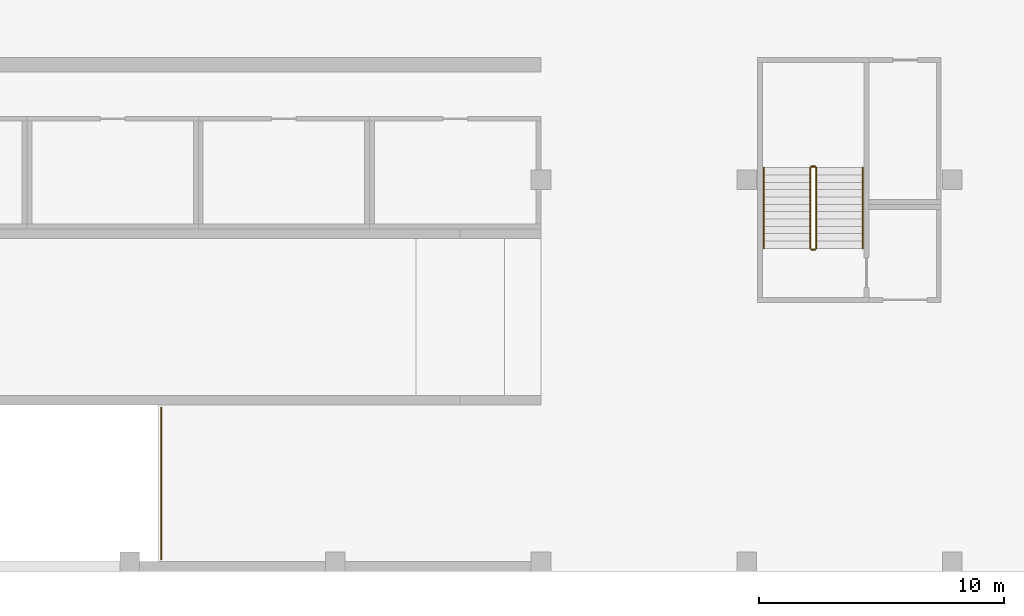
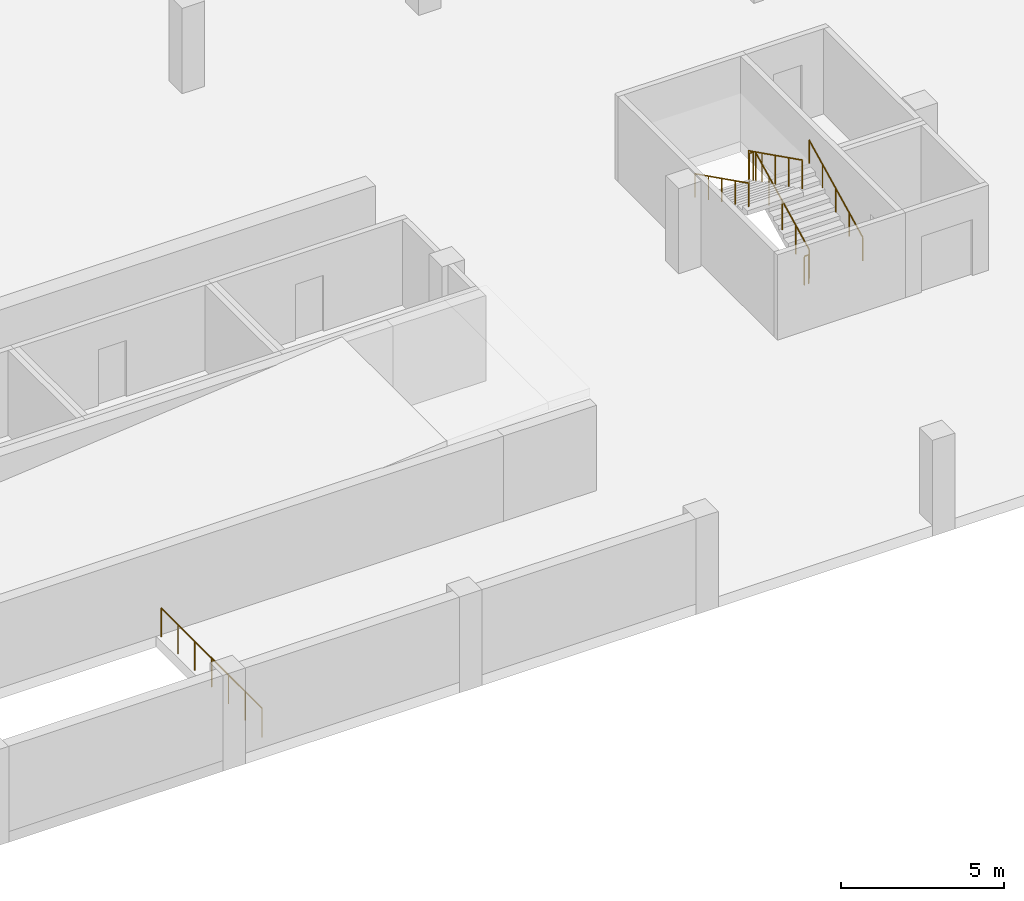
# One storey, part 20 of 37: 7 railings.
"""IFC4 building model written with IfcOpenShell, lengths in metres."""

from ifc_helpers import new_model, si_unit, direction, frame, origin, origin_2d, place, context, subcontext, project, spatial, circle, extrude, material, type_object, element, save


model = new_model("IFC4")

# Units and contexts
model_context = context("Model", 3, precision=1e-05, world=origin(), true_north=direction((0.0, 1.0)))
body_context = subcontext(model_context, "Body", "Model", "MODEL_VIEW")
ifc_project = project(units=[si_unit("LENGTHUNIT", "METRE"), si_unit("AREAUNIT", "SQUARE_METRE"), si_unit("VOLUMEUNIT", "CUBIC_METRE"), si_unit("PLANEANGLEUNIT", "RADIAN"), si_unit("MASSUNIT", "GRAM", prefix="KILO")], contexts=[model_context])

# Site, building, storey
site_placement = place(None, origin())
site = spatial("IfcSite", under=ifc_project, at=site_placement, CompositionType="ELEMENT")
building_placement = place(site_placement, origin())
building = spatial("IfcBuilding", under=site, at=building_placement, Name="Tamra Quay Hotel Tower", CompositionType="ELEMENT")
storey_placement = place(building_placement, frame((0.0, 0.0, -7.199951171875)))
storey = spatial("IfcBuildingStorey", under=building, at=storey_placement, Name="B2", CompositionType="ELEMENT", Elevation=-7.199951171875)

# Railings
ifc_material_1 = material(Name="Basement stair guard 1100")
railing_type_1 = type_object("IfcRailingType", Name="Basement stair guard 1100", PredefinedType="GUARDRAIL", material=ifc_material_1)
railing_1_placement = place(storey_placement, frame((-61.050048828125, -66.800048828125, 0.14990234375)))
element("IfcRailing", 1, at=railing_1_placement, inside=storey, type_object=railing_type_1, Name="BSG", PredefinedType="GUARDRAIL", context=body_context, shape_type="SweptSolid", body=[
    extrude(circle(Radius=0.02392578125, at=origin_2d()), frame((0.0, 0.0, 1.076171875), z_axis=(0.0, 0.894413956696, 0.447240063129), x_axis=(-1.0, 0.0, 0.0)), (0.0, 0.0, 1.0), 3.689697265625),
    extrude(circle(Radius=0.02099609375, at=origin_2d()), origin(), (0.0, 0.0, 1.0), 1.052001953125),
    extrude(circle(Radius=0.02099609375, at=origin_2d()), frame((0.0, 0.824951171875, 0.41259765625)), (0.0, 0.0, 1.0), 1.052001953125),
    extrude(circle(Radius=0.02099609375, at=origin_2d()), frame((0.0, 1.64990234375, 0.8251953125)), (0.0, 0.0, 1.0), 1.052001953125),
    extrude(circle(Radius=0.02099609375, at=origin_2d()), frame((0.0, 2.47509765625, 1.237548828125)), (0.0, 0.0, 1.0), 1.052001953125),
    extrude(circle(Radius=0.02099609375, at=origin_2d()), frame((0.0, 3.300048828125, 1.650146484375)), (0.0, 0.0, 1.0), 1.052001953125),
])
railing_2_placement = place(storey_placement, frame((-61.10009765625, -63.449951171875, 1.800048828125)))
element("IfcRailing", 2, at=railing_2_placement, inside=storey, type_object=railing_type_1, Name="BSG", PredefinedType="GUARDRAIL", context=body_context, shape_type="SweptSolid", body=[
    extrude(circle(Radius=0.02392578125, at=origin_2d()), frame((0.0, 0.0, 1.076171875), z_axis=(-1.0, 0.0, 0.0), x_axis=(0.0, -1.0, 0.0)), (0.0, 0.0, 1.0), 0.14990234375),
    extrude(circle(Radius=0.02099609375, at=origin_2d()), origin(), (0.0, 0.0, 1.0), 1.052001953125),
    extrude(circle(Radius=0.02099609375, at=origin_2d()), frame((-0.14990234375, 0.0, 0.0)), (0.0, 0.0, 1.0), 1.052001953125),
])
railing_3_placement = place(storey_placement, frame((-61.300048828125, -63.5, 1.949951171875)))
element("IfcRailing", 3, at=railing_3_placement, inside=storey, type_object=railing_type_1, Name="BSG", PredefinedType="GUARDRAIL", context=body_context, shape_type="SweptSolid", body=[
    extrude(circle(Radius=0.02392578125, at=origin_2d()), frame((0.0, 0.0, 1.076171875), z_axis=(0.0, -0.894440424912, 0.447187126696), x_axis=(1.0, 0.0, 0.0)), (0.0, 0.0, 1.0), 3.689453125),
    extrude(circle(Radius=0.02099609375, at=origin_2d()), origin(), (0.0, 0.0, 1.0), 1.052001953125),
    extrude(circle(Radius=0.02099609375, at=origin_2d()), frame((0.0, -0.824951171875, 0.41259765625)), (0.0, 0.0, 1.0), 1.052001953125),
    extrude(circle(Radius=0.02099609375, at=origin_2d()), frame((0.0, -1.64990234375, 0.824951171875)), (0.0, 0.0, 1.0), 1.052001953125),
    extrude(circle(Radius=0.02099609375, at=origin_2d()), frame((0.0, -2.47509765625, 1.2373046875)), (0.0, 0.0, 1.0), 1.052001953125),
    extrude(circle(Radius=0.02099609375, at=origin_2d()), frame((0.0, -3.300048828125, 1.64990234375)), (0.0, 0.0, 1.0), 1.052001953125),
])
railing_4_placement = place(storey_placement, frame((-61.10009765625, -66.85009765625, 0.0)))
element("IfcRailing", 4, at=railing_4_placement, inside=storey, type_object=railing_type_1, Name="BSG", PredefinedType="GUARDRAIL", context=body_context, shape_type="SweptSolid", body=[
    extrude(circle(Radius=0.02392578125, at=origin_2d()), frame((0.0, 0.0, 1.076171875), z_axis=(-1.0, 0.0, 0.0), x_axis=(0.0, -1.0, 0.0)), (0.0, 0.0, 1.0), 0.14990234375),
    extrude(circle(Radius=0.02099609375, at=origin_2d()), origin(), (0.0, 0.0, 1.0), 1.052001953125),
    extrude(circle(Radius=0.02099609375, at=origin_2d()), frame((-0.14990234375, 0.0, 0.0)), (0.0, 0.0, 1.0), 1.052001953125),
])
ifc_material_2 = material(Name="Basement stair handrail 900")
railing_type_2 = type_object("IfcRailingType", Name="Basement stair handrail 900", PredefinedType="HANDRAIL", material=ifc_material_2)
railing_5_placement = place(storey_placement, frame((-59.14990234375, -66.800048828125, 0.14990234375)))
element("IfcRailing", 5, at=railing_5_placement, inside=storey, type_object=railing_type_2, Name="BSH", PredefinedType="HANDRAIL", context=body_context, shape_type="SweptSolid", body=[
    extrude(circle(Radius=0.02392578125, at=origin_2d()), frame((0.0, 0.0, 0.8759765625), z_axis=(0.0, 0.894413956696, 0.447240063129), x_axis=(-1.0, 0.0, 0.0)), (0.0, 0.0, 1.0), 3.689697265625),
    extrude(circle(Radius=0.02099609375, at=origin_2d()), origin(), (0.0, 0.0, 1.0), 0.851806640625),
    extrude(circle(Radius=0.02099609375, at=origin_2d()), frame((0.0, 0.824951171875, 0.41259765625)), (0.0, 0.0, 1.0), 0.851806640625),
    extrude(circle(Radius=0.02099609375, at=origin_2d()), frame((0.0, 1.64990234375, 0.8251953125)), (0.0, 0.0, 1.0), 0.851806640625),
    extrude(circle(Radius=0.02099609375, at=origin_2d()), frame((0.0, 2.47509765625, 1.237548828125)), (0.0, 0.0, 1.0), 0.851806640625),
    extrude(circle(Radius=0.02099609375, at=origin_2d()), frame((0.0, 3.300048828125, 1.650146484375)), (0.0, 0.0, 1.0), 0.851806640625),
])
railing_6_placement = place(storey_placement, frame((-63.199951171875, -63.5, 1.949951171875)))
element("IfcRailing", 6, at=railing_6_placement, inside=storey, type_object=railing_type_2, Name="BSH", PredefinedType="HANDRAIL", context=body_context, shape_type="SweptSolid", body=[
    extrude(circle(Radius=0.02392578125, at=origin_2d()), frame((0.0, 0.0, 0.8759765625), z_axis=(0.0, -0.894440424912, 0.447187126696), x_axis=(1.0, 0.0, 0.0)), (0.0, 0.0, 1.0), 3.689453125),
    extrude(circle(Radius=0.02099609375, at=origin_2d()), origin(), (0.0, 0.0, 1.0), 0.851806640625),
    extrude(circle(Radius=0.02099609375, at=origin_2d()), frame((0.0, -0.824951171875, 0.41259765625)), (0.0, 0.0, 1.0), 0.851806640625),
    extrude(circle(Radius=0.02099609375, at=origin_2d()), frame((0.0, -1.64990234375, 0.824951171875)), (0.0, 0.0, 1.0), 0.851806640625),
    extrude(circle(Radius=0.02099609375, at=origin_2d()), frame((0.0, -2.47509765625, 1.2373046875)), (0.0, 0.0, 1.0), 0.851806640625),
    extrude(circle(Radius=0.02099609375, at=origin_2d()), frame((0.0, -3.300048828125, 1.64990234375)), (0.0, 0.0, 1.0), 0.851806640625),
])
ifc_material_3 = material(Name="Ramp opening guard 1100")
railing_type_3 = type_object("IfcRailingType", Name="Ramp opening guard 1100", PredefinedType="GUARDRAIL", material=ifc_material_3)
railing_7_placement = place(storey_placement, frame((-87.8173828125, -79.5, 0.0)))
element("IfcRailing", 7, at=railing_7_placement, inside=storey, type_object=railing_type_3, Name="RG2", PredefinedType="GUARDRAIL", context=body_context, shape_type="SweptSolid", body=[
    extrude(circle(Radius=0.02392578125, at=origin_2d()), frame((0.0, 0.0, 1.076171875), z_axis=(0.0, 1.0, 0.0), x_axis=(-1.0, 0.0, 0.0)), (0.0, 0.0, 1.0), 6.199951171875),
    extrude(circle(Radius=0.02099609375, at=origin_2d()), origin(), (0.0, 0.0, 1.0), 1.052001953125),
    extrude(circle(Radius=0.02099609375, at=origin_2d()), frame((0.0, 1.033203125, 0.0)), (0.0, 0.0, 1.0), 1.052001953125),
    extrude(circle(Radius=0.02099609375, at=origin_2d()), frame((0.0, 2.066650390625, 0.0)), (0.0, 0.0, 1.0), 1.052001953125),
    extrude(circle(Radius=0.02099609375, at=origin_2d()), frame((0.0, 3.10009765625, 0.0)), (0.0, 0.0, 1.0), 1.052001953125),
    extrude(circle(Radius=0.02099609375, at=origin_2d()), frame((0.0, 4.13330078125, 0.0)), (0.0, 0.0, 1.0), 1.052001953125),
    extrude(circle(Radius=0.02099609375, at=origin_2d()), frame((0.0, 5.16650390625, 0.0)), (0.0, 0.0, 1.0), 1.052001953125),
    extrude(circle(Radius=0.02099609375, at=origin_2d()), frame((0.0, 6.199951171875, 0.0)), (0.0, 0.0, 1.0), 1.052001953125),
])

save(model, "model.ifc")
